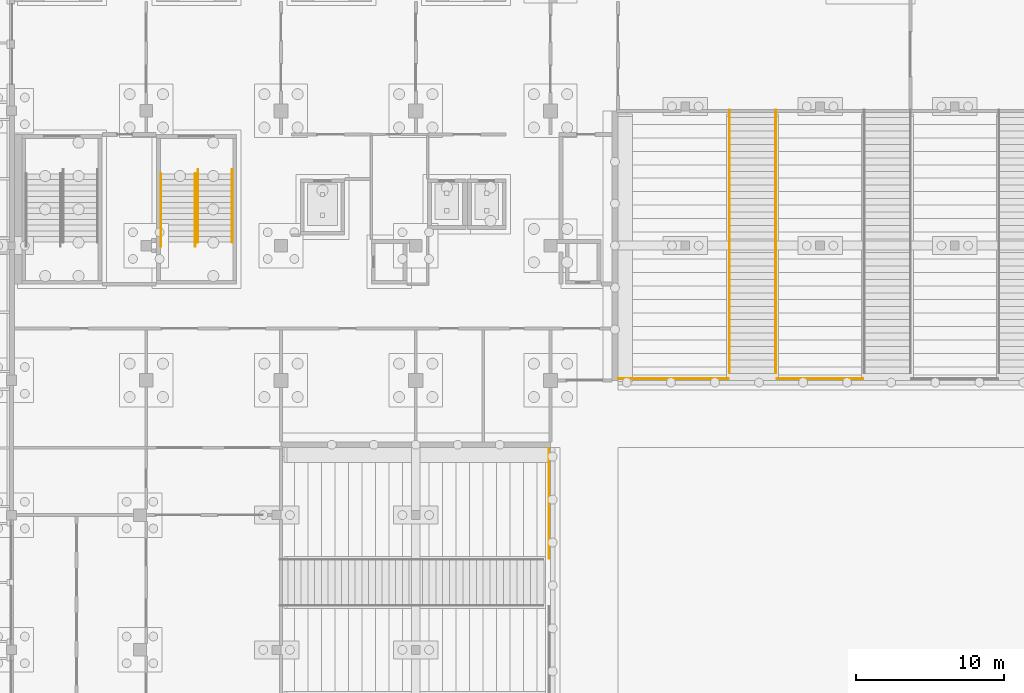
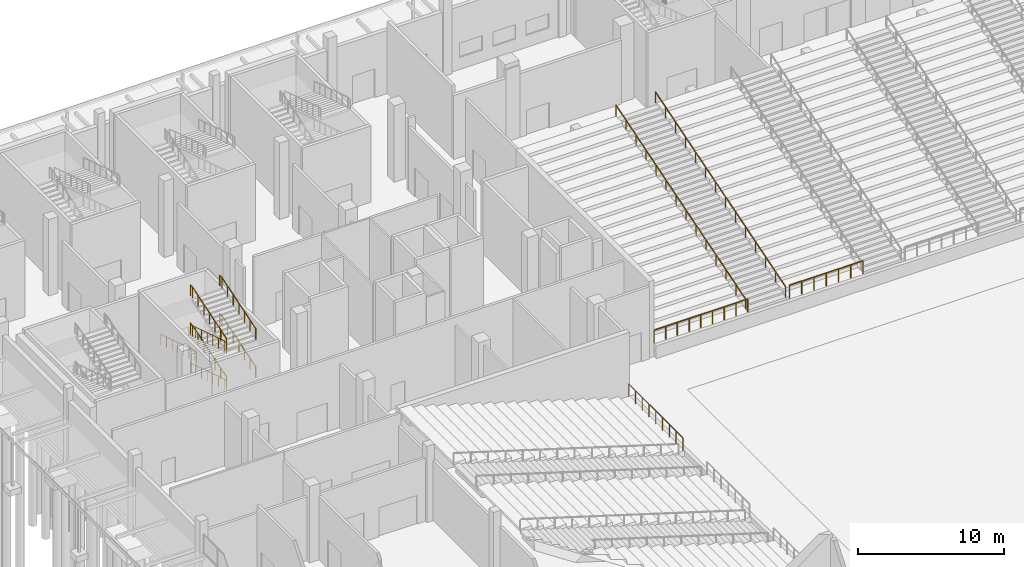
# One storey, part 109 of 129: 12 railings.
"""IFC4 building model written with IfcOpenShell, lengths in metres."""

import ifcopenshell
import ifcopenshell.guid

model = None  # the IFC model being written
_history = None  # IfcOwnerHistory: only IFC2X3 demands one
_inside = {}  # id of a spatial element -> (the spatial element, [elements in it])
_under = {}  # id of a project, library or spatial element -> (it, [spatial elements below it])
_declared = {}  # id of a project -> (the project, [libraries it declares])
_typed = {}  # id of a type object -> (the type object, [elements of that type])
_made_of = {}  # id of a material, layer set ... -> (it, [elements and type objects made of it])


def new_model(schema):
    """Start an empty IFC model of exactly this schema.

    Asked for "IFC4X3", IfcOpenShell would pick the latest addendum, in which some entities
    have other attributes; the version numbers below select the first issue.
    IFC2X3 requires an IfcOwnerHistory on every rooted entity: one is made here for all.
    """
    global model, _history
    if schema == "IFC4X3":
        model = ifcopenshell.file(schema_version=(4, 3, 0, 0))
    else:
        model = ifcopenshell.file(schema=schema)
    _inside.clear()
    _under.clear()
    _declared.clear()
    _typed.clear()
    _made_of.clear()
    _history = None
    if model.schema == "IFC2X3":
        org = make("IfcOrganization", Name="unknown")
        user = make(
            "IfcPersonAndOrganization",
            ThePerson=make("IfcPerson", FamilyName="unknown"),
            TheOrganization=org,
        )
        app = make(
            "IfcApplication",
            ApplicationDeveloper=org,
            Version="unknown",
            ApplicationFullName="unknown",
            ApplicationIdentifier="unknown",
        )
        _history = make(
            "IfcOwnerHistory",
            OwningUser=user,
            OwningApplication=app,
            ChangeAction="ADDED",
            CreationDate=0,
        )
    return model


def make(cls, **values):
    """One entity of the class cls with the attributes given. An attribute that is None is left unset."""
    return model.create_entity(
        cls, **{name: value for name, value in values.items() if value is not None}
    )


def rooted(cls, **values):
    """An entity with a GlobalId (a new one), such as an element, a storey or a relation."""
    return make(cls, GlobalId=ifcopenshell.guid.new(), OwnerHistory=_history, **values)


def si_unit(unit_type, name, prefix=None):
    """IfcSIUnit, for example si_unit("LENGTHUNIT", "METRE", prefix="MILLI")."""
    return make("IfcSIUnit", UnitType=unit_type, Prefix=prefix, Name=name)


def assignment(units):
    """IfcUnitAssignment: the units of a project."""
    return None if units is None else make("IfcUnitAssignment", Units=units)


def point(xyz):
    """IfcCartesianPoint."""
    return None if xyz is None else make("IfcCartesianPoint", Coordinates=xyz)


def direction(xyz):
    """IfcDirection."""
    return None if xyz is None else make("IfcDirection", DirectionRatios=xyz)


def frame(location, z_axis=None, x_axis=None):
    """IfcAxis2Placement3D, a coordinate frame: its origin and axes. An axis left out is left unset."""
    return make(
        "IfcAxis2Placement3D",
        Location=point(location),
        Axis=direction(z_axis),
        RefDirection=direction(x_axis),
    )


def frame_2d(location, x_axis=None):
    """IfcAxis2Placement2D, a coordinate frame in the plane: its origin and x axis."""
    return make(
        "IfcAxis2Placement2D", Location=point(location), RefDirection=direction(x_axis)
    )


def origin():
    """The frame at (0, 0, 0) with its axes left unset."""
    return frame((0.0, 0.0, 0.0))


def origin_2d():
    """The frame at (0, 0) in the plane with its x axis left unset."""
    return frame_2d((0.0, 0.0))


def place(relative_to, where):
    """IfcLocalPlacement: puts the frame where relative to a parent placement (None: the world)."""
    return make(
        "IfcLocalPlacement", PlacementRelTo=relative_to, RelativePlacement=where
    )


def context(
    kind, dimensions, precision=None, world=None, true_north=None, identifier=None
):
    """IfcGeometricRepresentationContext, for example the 3D "Model" context."""
    return make(
        "IfcGeometricRepresentationContext",
        ContextIdentifier=identifier,
        ContextType=kind,
        CoordinateSpaceDimension=dimensions,
        Precision=precision,
        WorldCoordinateSystem=world,
        TrueNorth=true_north,
    )


def subcontext(parent, identifier, kind, view, scale=None):
    """IfcGeometricRepresentationSubContext, for example "Body" below "Model"."""
    return make(
        "IfcGeometricRepresentationSubContext",
        ContextIdentifier=identifier,
        ContextType=kind,
        ParentContext=parent,
        TargetScale=scale,
        TargetView=view,
    )


def project(units=None, contexts=None):
    """IfcProject with its units and contexts."""
    return rooted(
        "IfcProject",
        Name="project",
        RepresentationContexts=contexts,
        UnitsInContext=assignment(units),
    )


def spatial(cls, under=None, at=None, **own):
    """A site, building, storey or space (cls), placed at a placement, below another one or the project."""
    s = rooted(cls, ObjectPlacement=at, **own)
    if under is not None:
        _under.setdefault(under.id(), (under, []))[1].append(s)
    return s


def profile(cls, at=None, kind="AREA", **sizes):
    """A parametric profile (cls). Its sizes go by their IFC names, for example OverallWidth=200.0."""
    return make(cls, ProfileType=kind, Position=at, **sizes)


def circle(**sizes):
    """IfcCircleProfileDef."""
    return profile("IfcCircleProfileDef", **sizes)


def extrude(swept, where, along, depth):
    """IfcExtrudedAreaSolid: the profile swept, set in the frame where, extruded along a direction by depth."""
    return make(
        "IfcExtrudedAreaSolid",
        SweptArea=swept,
        Position=where,
        ExtrudedDirection=direction(along),
        Depth=depth,
    )


def shape(context_of_items, identifier, shape_type, items):
    """IfcShapeRepresentation: the items that make up one representation, for example the "Body"."""
    return make(
        "IfcShapeRepresentation",
        ContextOfItems=context_of_items,
        RepresentationIdentifier=identifier,
        RepresentationType=shape_type,
        Items=items,
    )


def material(Name=None, Category=None):
    """IfcMaterial."""
    return make("IfcMaterial", Name=Name, Category=Category)


def made_of(thing, what):
    """Note that an element or type object is made of a material, layer set ...; save() writes the relation."""
    if what is not None:
        _made_of.setdefault(what.id(), (what, []))[1].append(thing)
    return thing


def type_object(cls, material=None, **own):
    """A type object (cls), such as IfcWallType, which elements share."""
    return made_of(rooted(cls, **own), material)


def element(
    cls,
    number,
    at=None,
    inside=None,
    cuts=None,
    type_object=None,
    material=None,
    context=None,
    identifier="Body",
    shape_type=None,
    held_by="IfcProductDefinitionShape",
    body=None,
    shapes=None,
    **own,
):
    """One element of the class cls, such as IfcWall. Its Tag is "e" and its number.

    at: its placement. inside: the storey or other place that contains it. cuts: it is an
    opening in that element (IfcRelVoidsElement). A single representation is given by context,
    identifier, shape_type and body (its items); several are given by shapes. held_by: the class
    of the entity that holds the representations. save() writes the other relations.
    """
    e = rooted(cls, Tag="e%d" % number, ObjectPlacement=at, **own)
    if body is not None:
        shapes = [shape(context, identifier, shape_type, body)]
    if shapes is not None:
        e.Representation = make(held_by, Representations=shapes)
    if inside is not None:
        _inside.setdefault(inside.id(), (inside, []))[1].append(e)
    if cuts is not None:
        rooted(
            "IfcRelVoidsElement", RelatingBuildingElement=cuts, RelatedOpeningElement=e
        )
    if type_object is not None:
        _typed.setdefault(type_object.id(), (type_object, []))[1].append(e)
    return made_of(e, material)


def aggregate(whole, parts):
    """IfcRelAggregates: a whole, such as a stair, and the parts it consists of."""
    return rooted("IfcRelAggregates", RelatingObject=whole, RelatedObjects=parts)


def save(model, path):
    """Write the relations noted so far, then the file.

    IfcRelAggregates (storeys below a building ...), IfcRelContainedInSpatialStructure (elements
    in a storey), IfcRelDefinesByType, IfcRelAssociatesMaterial and IfcRelDeclares: one each for
    every whole, place, type object, material and project.
    """
    for whole, parts in _under.values():
        aggregate(whole, parts)
    for where, things in _inside.values():
        rooted(
            "IfcRelContainedInSpatialStructure",
            RelatedElements=things,
            RelatingStructure=where,
        )
    for kind, things in _typed.values():
        rooted("IfcRelDefinesByType", RelatedObjects=things, RelatingType=kind)
    for what, things in _made_of.values():
        rooted("IfcRelAssociatesMaterial", RelatedObjects=things, RelatingMaterial=what)
    for by, libraries in _declared.values():
        rooted("IfcRelDeclares", RelatingContext=by, RelatedDefinitions=libraries)
    model.write(path)


model = new_model("IFC4")

# Units and contexts
model_context = context("Model", 3, precision=1e-05, world=origin(), true_north=direction((0.0, 1.0)))
body_context = subcontext(model_context, "Body", "Model", "MODEL_VIEW")
ifc_project = project(units=[si_unit("LENGTHUNIT", "METRE"), si_unit("AREAUNIT", "SQUARE_METRE"), si_unit("VOLUMEUNIT", "CUBIC_METRE"), si_unit("PLANEANGLEUNIT", "RADIAN"), si_unit("MASSUNIT", "GRAM", prefix="KILO")], contexts=[model_context])

# Site, building, storey
site_placement = place(None, origin())
site = spatial("IfcSite", under=ifc_project, at=site_placement, CompositionType="ELEMENT")
building_placement = place(site_placement, origin())
building = spatial("IfcBuilding", under=site, at=building_placement, Name="Shirokan Park Arena", CompositionType="ELEMENT")
storey_placement = place(building_placement, origin())
storey = spatial("IfcBuildingStorey", under=building, at=storey_placement, Name="L00", CompositionType="ELEMENT", Elevation=0.0)

# Railings
ifc_material = material(Name="Stainless steel", Category="steel")
railing_type_1 = type_object("IfcRailingType", Name="Aisle handrail 900", PredefinedType="HANDRAIL", material=ifc_material)
railing_1_placement = place(storey_placement, frame((48.489990234375, 73.304931640625, 0.909912109375)))
element("IfcRailing", 1, at=railing_1_placement, inside=storey, type_object=railing_type_1, Name="Handrail vomitory stair N1 lower", PredefinedType="HANDRAIL", context=body_context, shape_type="SweptSolid", body=[
    extrude(circle(Radius=0.02490234375, at=origin_2d()), frame((0.0, 0.0, 0.89013671875), z_axis=(0.0, 0.955745737905, 0.294193957241), x_axis=(-1.0, 0.0, 0.0)), (0.0, 0.0, 1.0), 1.42822265625),
    extrude(circle(Radius=0.02490234375, at=origin_2d()), frame((0.0, 1.364990234375, 1.310546875), z_axis=(0.0, 0.95579379257, 0.294037797035), x_axis=(-1.0, 0.0, 0.0)), (0.0, 0.0, 1.0), 1.42822265625),
    extrude(circle(Radius=0.02490234375, at=origin_2d()), frame((0.0, 2.72998046875, 1.73046875), z_axis=(0.0, 0.95579379257, 0.294037797035), x_axis=(-1.0, 0.0, 0.0)), (0.0, 0.0, 1.0), 1.42822265625),
    extrude(circle(Radius=0.02490234375, at=origin_2d()), frame((0.0, 4.094970703125, 2.150390625), z_axis=(0.0, 0.955745737905, 0.294193957241), x_axis=(-1.0, 0.0, 0.0)), (0.0, 0.0, 1.0), 1.42822265625),
    extrude(circle(Radius=0.02490234375, at=origin_2d()), frame((0.0, 5.4599609375, 2.5703125), z_axis=(0.0, 0.95579379257, 0.294037797035), x_axis=(-1.0, 0.0, 0.0)), (0.0, 0.0, 1.0), 1.42822265625),
    extrude(circle(Radius=0.02490234375, at=origin_2d()), frame((0.0, 6.824951171875, 2.990234375), z_axis=(0.0, 0.955808569173, 0.293989760189), x_axis=(-1.0, 0.0, 0.0)), (0.0, 0.0, 1.0), 1.428466796875),
    extrude(circle(Radius=0.02490234375, at=origin_2d()), frame((0.0, 8.190185546875, 3.41015625), z_axis=(0.0, 0.955745737905, 0.294193957241), x_axis=(-1.0, 0.0, 0.0)), (0.0, 0.0, 1.0), 1.42822265625),
    extrude(circle(Radius=0.02490234375, at=origin_2d()), frame((0.0, 9.55517578125, 3.83056640625), z_axis=(0.0, 0.95579379257, 0.294037797035), x_axis=(-1.0, 0.0, 0.0)), (0.0, 0.0, 1.0), 1.42822265625),
    extrude(circle(Radius=0.02490234375, at=origin_2d()), frame((0.0, 10.920166015625, 4.25048828125), z_axis=(0.0, 0.95579379257, 0.294037797035), x_axis=(-1.0, 0.0, 0.0)), (0.0, 0.0, 1.0), 1.42822265625),
    extrude(circle(Radius=0.02490234375, at=origin_2d()), frame((0.0, 12.28515625, 4.67041015625), z_axis=(0.0, 0.955745737905, 0.294193957241), x_axis=(-1.0, 0.0, 0.0)), (0.0, 0.0, 1.0), 1.42822265625),
    extrude(circle(Radius=0.02490234375, at=origin_2d()), frame((0.0, 13.650146484375, 5.09033203125), z_axis=(0.0, 0.95579379257, 0.294037797035), x_axis=(-1.0, 0.0, 0.0)), (0.0, 0.0, 1.0), 1.42822265625),
    extrude(circle(Radius=0.02490234375, at=origin_2d()), frame((0.0, 15.01513671875, 5.51025390625), z_axis=(0.0, 0.95579379257, 0.294037797035), x_axis=(-1.0, 0.0, 0.0)), (0.0, 0.0, 1.0), 1.42822265625),
    extrude(circle(Radius=0.02490234375, at=origin_2d()), frame((0.0, 16.380126953125, 5.93017578125), z_axis=(0.0, 0.955745737905, 0.294193957241), x_axis=(-1.0, 0.0, 0.0)), (0.0, 0.0, 1.0), 1.42822265625),
    extrude(circle(Radius=0.02490234375, at=origin_2d()), origin(), (0.0, 0.0, 1.0), 0.865234375),
    extrude(circle(Radius=0.02490234375, at=origin_2d()), frame((0.0, 1.364990234375, 0.420166015625)), (0.0, 0.0, 1.0), 0.865234375),
    extrude(circle(Radius=0.02490234375, at=origin_2d()), frame((0.0, 2.72998046875, 0.840087890625)), (0.0, 0.0, 1.0), 0.865234375),
    extrude(circle(Radius=0.02490234375, at=origin_2d()), frame((0.0, 4.094970703125, 1.260009765625)), (0.0, 0.0, 1.0), 0.865234375),
    extrude(circle(Radius=0.02490234375, at=origin_2d()), frame((0.0, 5.4599609375, 1.68017578125)), (0.0, 0.0, 1.0), 0.865234375),
    extrude(circle(Radius=0.02490234375, at=origin_2d()), frame((0.0, 6.824951171875, 2.10009765625)), (0.0, 0.0, 1.0), 0.865234375),
    extrude(circle(Radius=0.02490234375, at=origin_2d()), frame((0.0, 8.190185546875, 2.52001953125)), (0.0, 0.0, 1.0), 0.865234375),
    extrude(circle(Radius=0.02490234375, at=origin_2d()), frame((0.0, 9.55517578125, 2.940185546875)), (0.0, 0.0, 1.0), 0.865234375),
    extrude(circle(Radius=0.02490234375, at=origin_2d()), frame((0.0, 10.920166015625, 3.360107421875)), (0.0, 0.0, 1.0), 0.865234375),
    extrude(circle(Radius=0.02490234375, at=origin_2d()), frame((0.0, 12.28515625, 3.780029296875)), (0.0, 0.0, 1.0), 0.865234375),
    extrude(circle(Radius=0.02490234375, at=origin_2d()), frame((0.0, 13.650146484375, 4.2001953125)), (0.0, 0.0, 1.0), 0.865234375),
    extrude(circle(Radius=0.02490234375, at=origin_2d()), frame((0.0, 15.01513671875, 4.6201171875)), (0.0, 0.0, 1.0), 0.865234375),
    extrude(circle(Radius=0.02490234375, at=origin_2d()), frame((0.0, 16.380126953125, 5.0400390625)), (0.0, 0.0, 1.0), 0.865234375),
    extrude(circle(Radius=0.02490234375, at=origin_2d()), frame((0.0, 17.7451171875, 5.460205078125)), (0.0, 0.0, 1.0), 0.865234375),
])
railing_2_placement = place(storey_placement, frame((51.610107421875, 73.304931640625, 0.909912109375)))
element("IfcRailing", 2, at=railing_2_placement, inside=storey, type_object=railing_type_1, Name="Handrail vomitory stair N1 lower", PredefinedType="HANDRAIL", context=body_context, shape_type="SweptSolid", body=[
    extrude(circle(Radius=0.02490234375, at=origin_2d()), frame((0.0, 0.0, 0.89013671875), z_axis=(0.0, 0.955745737905, 0.294193957241), x_axis=(-1.0, 0.0, 0.0)), (0.0, 0.0, 1.0), 1.42822265625),
    extrude(circle(Radius=0.02490234375, at=origin_2d()), frame((0.0, 1.364990234375, 1.310546875), z_axis=(0.0, 0.95579379257, 0.294037797035), x_axis=(-1.0, 0.0, 0.0)), (0.0, 0.0, 1.0), 1.42822265625),
    extrude(circle(Radius=0.02490234375, at=origin_2d()), frame((0.0, 2.72998046875, 1.73046875), z_axis=(0.0, 0.95579379257, 0.294037797035), x_axis=(-1.0, 0.0, 0.0)), (0.0, 0.0, 1.0), 1.42822265625),
    extrude(circle(Radius=0.02490234375, at=origin_2d()), frame((0.0, 4.094970703125, 2.150390625), z_axis=(0.0, 0.955745737905, 0.294193957241), x_axis=(-1.0, 0.0, 0.0)), (0.0, 0.0, 1.0), 1.42822265625),
    extrude(circle(Radius=0.02490234375, at=origin_2d()), frame((0.0, 5.4599609375, 2.5703125), z_axis=(0.0, 0.95579379257, 0.294037797035), x_axis=(-1.0, 0.0, 0.0)), (0.0, 0.0, 1.0), 1.42822265625),
    extrude(circle(Radius=0.02490234375, at=origin_2d()), frame((0.0, 6.824951171875, 2.990234375), z_axis=(0.0, 0.955808569173, 0.293989760189), x_axis=(-1.0, 0.0, 0.0)), (0.0, 0.0, 1.0), 1.428466796875),
    extrude(circle(Radius=0.02490234375, at=origin_2d()), frame((0.0, 8.190185546875, 3.41015625), z_axis=(0.0, 0.955745737905, 0.294193957241), x_axis=(-1.0, 0.0, 0.0)), (0.0, 0.0, 1.0), 1.42822265625),
    extrude(circle(Radius=0.02490234375, at=origin_2d()), frame((0.0, 9.55517578125, 3.83056640625), z_axis=(0.0, 0.95579379257, 0.294037797035), x_axis=(-1.0, 0.0, 0.0)), (0.0, 0.0, 1.0), 1.42822265625),
    extrude(circle(Radius=0.02490234375, at=origin_2d()), frame((0.0, 10.920166015625, 4.25048828125), z_axis=(0.0, 0.95579379257, 0.294037797035), x_axis=(-1.0, 0.0, 0.0)), (0.0, 0.0, 1.0), 1.42822265625),
    extrude(circle(Radius=0.02490234375, at=origin_2d()), frame((0.0, 12.28515625, 4.67041015625), z_axis=(0.0, 0.955745737905, 0.294193957241), x_axis=(-1.0, 0.0, 0.0)), (0.0, 0.0, 1.0), 1.42822265625),
    extrude(circle(Radius=0.02490234375, at=origin_2d()), frame((0.0, 13.650146484375, 5.09033203125), z_axis=(0.0, 0.95579379257, 0.294037797035), x_axis=(-1.0, 0.0, 0.0)), (0.0, 0.0, 1.0), 1.42822265625),
    extrude(circle(Radius=0.02490234375, at=origin_2d()), frame((0.0, 15.01513671875, 5.51025390625), z_axis=(0.0, 0.95579379257, 0.294037797035), x_axis=(-1.0, 0.0, 0.0)), (0.0, 0.0, 1.0), 1.42822265625),
    extrude(circle(Radius=0.02490234375, at=origin_2d()), frame((0.0, 16.380126953125, 5.93017578125), z_axis=(0.0, 0.955745737905, 0.294193957241), x_axis=(-1.0, 0.0, 0.0)), (0.0, 0.0, 1.0), 1.42822265625),
    extrude(circle(Radius=0.02490234375, at=origin_2d()), origin(), (0.0, 0.0, 1.0), 0.865234375),
    extrude(circle(Radius=0.02490234375, at=origin_2d()), frame((0.0, 1.364990234375, 0.420166015625)), (0.0, 0.0, 1.0), 0.865234375),
    extrude(circle(Radius=0.02490234375, at=origin_2d()), frame((0.0, 2.72998046875, 0.840087890625)), (0.0, 0.0, 1.0), 0.865234375),
    extrude(circle(Radius=0.02490234375, at=origin_2d()), frame((0.0, 4.094970703125, 1.260009765625)), (0.0, 0.0, 1.0), 0.865234375),
    extrude(circle(Radius=0.02490234375, at=origin_2d()), frame((0.0, 5.4599609375, 1.68017578125)), (0.0, 0.0, 1.0), 0.865234375),
    extrude(circle(Radius=0.02490234375, at=origin_2d()), frame((0.0, 6.824951171875, 2.10009765625)), (0.0, 0.0, 1.0), 0.865234375),
    extrude(circle(Radius=0.02490234375, at=origin_2d()), frame((0.0, 8.190185546875, 2.52001953125)), (0.0, 0.0, 1.0), 0.865234375),
    extrude(circle(Radius=0.02490234375, at=origin_2d()), frame((0.0, 9.55517578125, 2.940185546875)), (0.0, 0.0, 1.0), 0.865234375),
    extrude(circle(Radius=0.02490234375, at=origin_2d()), frame((0.0, 10.920166015625, 3.360107421875)), (0.0, 0.0, 1.0), 0.865234375),
    extrude(circle(Radius=0.02490234375, at=origin_2d()), frame((0.0, 12.28515625, 3.780029296875)), (0.0, 0.0, 1.0), 0.865234375),
    extrude(circle(Radius=0.02490234375, at=origin_2d()), frame((0.0, 13.650146484375, 4.2001953125)), (0.0, 0.0, 1.0), 0.865234375),
    extrude(circle(Radius=0.02490234375, at=origin_2d()), frame((0.0, 15.01513671875, 4.6201171875)), (0.0, 0.0, 1.0), 0.865234375),
    extrude(circle(Radius=0.02490234375, at=origin_2d()), frame((0.0, 16.380126953125, 5.0400390625)), (0.0, 0.0, 1.0), 0.865234375),
    extrude(circle(Radius=0.02490234375, at=origin_2d()), frame((0.0, 17.7451171875, 5.460205078125)), (0.0, 0.0, 1.0), 0.865234375),
])
railing_type_2 = type_object("IfcRailingType", Name="Crowd barrier 1100", PredefinedType="GUARDRAIL", material=ifc_material)
railing_3_placement = place(storey_placement, frame((41.0, 72.89990234375, 1.050048828125)))
element("IfcRailing", 3, at=railing_3_placement, inside=storey, type_object=railing_type_2, Name="Crowd barrier N1 lower tier", PredefinedType="GUARDRAIL", context=body_context, shape_type="SweptSolid", body=[
    extrude(circle(Radius=0.030029296875, at=origin_2d()), frame((0.0, 0.0, 1.072021484375), z_axis=(1.0, 0.0, 0.0), x_axis=(0.0, 1.0, 0.0)), (0.0, 0.0, 1.0), 7.39990234375),
    extrude(circle(Radius=0.030029296875, at=origin_2d()), origin(), (0.0, 0.0, 1.0), 1.0419921875),
    extrude(circle(Radius=0.030029296875, at=origin_2d()), frame((0.925048828125, 0.0, 0.0)), (0.0, 0.0, 1.0), 1.0419921875),
    extrude(circle(Radius=0.030029296875, at=origin_2d()), frame((1.85009765625, 0.0, 0.0)), (0.0, 0.0, 1.0), 1.0419921875),
    extrude(circle(Radius=0.030029296875, at=origin_2d()), frame((2.77490234375, 0.0, 0.0)), (0.0, 0.0, 1.0), 1.0419921875),
    extrude(circle(Radius=0.030029296875, at=origin_2d()), frame((3.699951171875, 0.0, 0.0)), (0.0, 0.0, 1.0), 1.0419921875),
    extrude(circle(Radius=0.030029296875, at=origin_2d()), frame((4.625, 0.0, 0.0)), (0.0, 0.0, 1.0), 1.0419921875),
    extrude(circle(Radius=0.030029296875, at=origin_2d()), frame((5.5498046875, 0.0, 0.0)), (0.0, 0.0, 1.0), 1.0419921875),
    extrude(circle(Radius=0.030029296875, at=origin_2d()), frame((6.474853515625, 0.0, 0.0)), (0.0, 0.0, 1.0), 1.0419921875),
    extrude(circle(Radius=0.030029296875, at=origin_2d()), frame((7.39990234375, 0.0, 0.0)), (0.0, 0.0, 1.0), 1.0419921875),
])
railing_4_placement = place(storey_placement, frame((51.699951171875, 72.89990234375, 1.050048828125)))
element("IfcRailing", 4, at=railing_4_placement, inside=storey, type_object=railing_type_2, Name="Crowd barrier N2 lower tier", PredefinedType="GUARDRAIL", context=body_context, shape_type="SweptSolid", body=[
    extrude(circle(Radius=0.030029296875, at=origin_2d()), frame((0.0, 0.0, 1.072021484375), z_axis=(1.0, 0.0, 0.0), x_axis=(0.0, 1.0, 0.0)), (0.0, 0.0, 1.0), 5.800048828125),
    extrude(circle(Radius=0.030029296875, at=origin_2d()), origin(), (0.0, 0.0, 1.0), 1.0419921875),
    extrude(circle(Radius=0.030029296875, at=origin_2d()), frame((0.966796875, 0.0, 0.0)), (0.0, 0.0, 1.0), 1.0419921875),
    extrude(circle(Radius=0.030029296875, at=origin_2d()), frame((1.933349609375, 0.0, 0.0)), (0.0, 0.0, 1.0), 1.0419921875),
    extrude(circle(Radius=0.030029296875, at=origin_2d()), frame((2.89990234375, 0.0, 0.0)), (0.0, 0.0, 1.0), 1.0419921875),
    extrude(circle(Radius=0.030029296875, at=origin_2d()), frame((3.86669921875, 0.0, 0.0)), (0.0, 0.0, 1.0), 1.0419921875),
    extrude(circle(Radius=0.030029296875, at=origin_2d()), frame((4.83349609375, 0.0, 0.0)), (0.0, 0.0, 1.0), 1.0419921875),
    extrude(circle(Radius=0.030029296875, at=origin_2d()), frame((5.800048828125, 0.0, 0.0)), (0.0, 0.0, 1.0), 1.0419921875),
])
railing_5_placement = place(storey_placement, frame((36.300048828125, 60.800048828125, 1.050048828125)))
element("IfcRailing", 5, at=railing_5_placement, inside=storey, type_object=railing_type_2, Name="Crowd barrier W3 lower tier", PredefinedType="GUARDRAIL", context=body_context, shape_type="SweptSolid", body=[
    extrude(circle(Radius=0.030029296875, at=origin_2d()), frame((0.0, 0.0, 1.072021484375), z_axis=(0.0, 1.0, 0.0), x_axis=(-1.0, 0.0, 0.0)), (0.0, 0.0, 1.0), 7.39990234375),
    extrude(circle(Radius=0.030029296875, at=origin_2d()), origin(), (0.0, 0.0, 1.0), 1.0419921875),
    extrude(circle(Radius=0.030029296875, at=origin_2d()), frame((0.0, 0.925048828125, 0.0)), (0.0, 0.0, 1.0), 1.0419921875),
    extrude(circle(Radius=0.030029296875, at=origin_2d()), frame((0.0, 1.85009765625, 0.0)), (0.0, 0.0, 1.0), 1.0419921875),
    extrude(circle(Radius=0.030029296875, at=origin_2d()), frame((0.0, 2.77490234375, 0.0)), (0.0, 0.0, 1.0), 1.0419921875),
    extrude(circle(Radius=0.030029296875, at=origin_2d()), frame((0.0, 3.699951171875, 0.0)), (0.0, 0.0, 1.0), 1.0419921875),
    extrude(circle(Radius=0.030029296875, at=origin_2d()), frame((0.0, 4.625, 0.0)), (0.0, 0.0, 1.0), 1.0419921875),
    extrude(circle(Radius=0.030029296875, at=origin_2d()), frame((0.0, 5.5498046875, 0.0)), (0.0, 0.0, 1.0), 1.0419921875),
    extrude(circle(Radius=0.030029296875, at=origin_2d()), frame((0.0, 6.474853515625, 0.0)), (0.0, 0.0, 1.0), 1.0419921875),
    extrude(circle(Radius=0.030029296875, at=origin_2d()), frame((0.0, 7.39990234375, 0.0)), (0.0, 0.0, 1.0), 1.0419921875),
])
railing_type_3 = type_object("IfcRailingType", Name="Stair handrail 900", PredefinedType="HANDRAIL", material=ifc_material)
railing_6_placement = place(storey_placement, frame((12.409912109375, 86.75, 0.12255859375)))
element("IfcRailing", 6, at=railing_6_placement, inside=storey, type_object=railing_type_3, Name="Handrail Exit Stair 4.F L00 to L01", PredefinedType="HANDRAIL", context=body_context, shape_type="SweptSolid", body=[
    extrude(circle(Radius=0.02392578125, at=origin_2d()), frame((0.0, 0.0, 0.8759765625), z_axis=(0.0, -0.952929747917, 0.303191186441), x_axis=(1.0, 0.0, 0.0)), (0.0, 0.0, 1.0), 1.6162109375),
    extrude(circle(Radius=0.02392578125, at=origin_2d()), frame((0.0, -1.5400390625, 1.36572265625), z_axis=(0.0, -0.952929747917, 0.303191186441), x_axis=(1.0, 0.0, 0.0)), (0.0, 0.0, 1.0), 1.6162109375),
    extrude(circle(Radius=0.02392578125, at=origin_2d()), frame((0.0, -3.080078125, 1.85595703125), z_axis=(0.0, -0.952929747917, 0.303191186441), x_axis=(1.0, 0.0, 0.0)), (0.0, 0.0, 1.0), 1.6162109375),
    extrude(circle(Radius=0.02392578125, at=origin_2d()), frame((0.0, -4.6201171875, 2.345703125), z_axis=(0.0, -1.0, 0.0), x_axis=(1.0, 0.0, 0.0)), (0.0, 0.0, 1.0), 0.2998046875),
    extrude(circle(Radius=0.02099609375, at=origin_2d()), origin(), (0.0, 0.0, 1.0), 0.851806640625),
    extrude(circle(Radius=0.02099609375, at=origin_2d()), frame((0.0, -0.77001953125, 0.2451171875)), (0.0, 0.0, 1.0), 0.851806640625),
    extrude(circle(Radius=0.02099609375, at=origin_2d()), frame((0.0, -1.5400390625, 0.489990234375)), (0.0, 0.0, 1.0), 0.851806640625),
    extrude(circle(Radius=0.02099609375, at=origin_2d()), frame((0.0, -2.31005859375, 0.73486328125)), (0.0, 0.0, 1.0), 0.851806640625),
    extrude(circle(Radius=0.02099609375, at=origin_2d()), frame((0.0, -3.080078125, 0.97998046875)), (0.0, 0.0, 1.0), 0.851806640625),
    extrude(circle(Radius=0.02099609375, at=origin_2d()), frame((0.0, -3.85009765625, 1.22509765625)), (0.0, 0.0, 1.0), 0.851806640625),
    extrude(circle(Radius=0.02099609375, at=origin_2d()), frame((0.0, -4.6201171875, 1.469970703125)), (0.0, 0.0, 1.0), 0.851806640625),
    extrude(circle(Radius=0.02099609375, at=origin_2d()), frame((0.0, -4.919921875, 1.469970703125)), (0.0, 0.0, 1.0), 0.851806640625),
])
railing_7_placement = place(storey_placement, frame((12.590087890625, 82.1298828125, 1.715087890625)))
element("IfcRailing", 7, at=railing_7_placement, inside=storey, type_object=railing_type_3, Name="Handrail Exit Stair 4.F L00 to L01", PredefinedType="HANDRAIL", context=body_context, shape_type="SweptSolid", body=[
    extrude(circle(Radius=0.02392578125, at=origin_2d()), frame((0.0, 0.0, 0.8759765625), z_axis=(0.0, 0.952929747917, 0.303191186441), x_axis=(-1.0, 0.0, 0.0)), (0.0, 0.0, 1.0), 1.6162109375),
    extrude(circle(Radius=0.02392578125, at=origin_2d()), frame((0.0, 1.5400390625, 1.36572265625), z_axis=(0.0, 0.952929747917, 0.303191186441), x_axis=(-1.0, 0.0, 0.0)), (0.0, 0.0, 1.0), 1.6162109375),
    extrude(circle(Radius=0.02392578125, at=origin_2d()), frame((0.0, 3.080078125, 1.85595703125), z_axis=(0.0, 0.952929747917, 0.303191186441), x_axis=(-1.0, 0.0, 0.0)), (0.0, 0.0, 1.0), 1.6162109375),
    extrude(circle(Radius=0.02392578125, at=origin_2d()), frame((0.0, 4.6201171875, 2.345703125), z_axis=(0.0, 1.0, 0.0), x_axis=(-1.0, 0.0, 0.0)), (0.0, 0.0, 1.0), 0.300048828125),
    extrude(circle(Radius=0.02099609375, at=origin_2d()), origin(), (0.0, 0.0, 1.0), 0.851806640625),
    extrude(circle(Radius=0.02099609375, at=origin_2d()), frame((0.0, 0.77001953125, 0.2451171875)), (0.0, 0.0, 1.0), 0.851806640625),
    extrude(circle(Radius=0.02099609375, at=origin_2d()), frame((0.0, 1.5400390625, 0.489990234375)), (0.0, 0.0, 1.0), 0.851806640625),
    extrude(circle(Radius=0.02099609375, at=origin_2d()), frame((0.0, 2.31005859375, 0.73486328125)), (0.0, 0.0, 1.0), 0.851806640625),
    extrude(circle(Radius=0.02099609375, at=origin_2d()), frame((0.0, 3.080078125, 0.97998046875)), (0.0, 0.0, 1.0), 0.851806640625),
    extrude(circle(Radius=0.02099609375, at=origin_2d()), frame((0.0, 3.85009765625, 1.22509765625)), (0.0, 0.0, 1.0), 0.851806640625),
    extrude(circle(Radius=0.02099609375, at=origin_2d()), frame((0.0, 4.6201171875, 1.469970703125)), (0.0, 0.0, 1.0), 0.851806640625),
    extrude(circle(Radius=0.02099609375, at=origin_2d()), frame((0.0, 4.920166015625, 1.469970703125)), (0.0, 0.0, 1.0), 0.851806640625),
])
railing_8_placement = place(storey_placement, frame((14.909912109375, 82.1298828125, 1.715087890625)))
element("IfcRailing", 8, at=railing_8_placement, inside=storey, type_object=railing_type_3, Name="Handrail Exit Stair 4.F L00 to L01", PredefinedType="HANDRAIL", context=body_context, shape_type="SweptSolid", body=[
    extrude(circle(Radius=0.02392578125, at=origin_2d()), frame((0.0, 0.0, 0.8759765625), z_axis=(0.0, 0.952929747917, 0.303191186441), x_axis=(-1.0, 0.0, 0.0)), (0.0, 0.0, 1.0), 1.6162109375),
    extrude(circle(Radius=0.02392578125, at=origin_2d()), frame((0.0, 1.5400390625, 1.36572265625), z_axis=(0.0, 0.952929747917, 0.303191186441), x_axis=(-1.0, 0.0, 0.0)), (0.0, 0.0, 1.0), 1.6162109375),
    extrude(circle(Radius=0.02392578125, at=origin_2d()), frame((0.0, 3.080078125, 1.85595703125), z_axis=(0.0, 0.952929747917, 0.303191186441), x_axis=(-1.0, 0.0, 0.0)), (0.0, 0.0, 1.0), 1.6162109375),
    extrude(circle(Radius=0.02392578125, at=origin_2d()), frame((0.0, 4.6201171875, 2.345703125), z_axis=(0.0, 1.0, 0.0), x_axis=(-1.0, 0.0, 0.0)), (0.0, 0.0, 1.0), 0.300048828125),
    extrude(circle(Radius=0.02099609375, at=origin_2d()), origin(), (0.0, 0.0, 1.0), 0.851806640625),
    extrude(circle(Radius=0.02099609375, at=origin_2d()), frame((0.0, 0.77001953125, 0.2451171875)), (0.0, 0.0, 1.0), 0.851806640625),
    extrude(circle(Radius=0.02099609375, at=origin_2d()), frame((0.0, 1.5400390625, 0.489990234375)), (0.0, 0.0, 1.0), 0.851806640625),
    extrude(circle(Radius=0.02099609375, at=origin_2d()), frame((0.0, 2.31005859375, 0.73486328125)), (0.0, 0.0, 1.0), 0.851806640625),
    extrude(circle(Radius=0.02099609375, at=origin_2d()), frame((0.0, 3.080078125, 0.97998046875)), (0.0, 0.0, 1.0), 0.851806640625),
    extrude(circle(Radius=0.02099609375, at=origin_2d()), frame((0.0, 3.85009765625, 1.22509765625)), (0.0, 0.0, 1.0), 0.851806640625),
    extrude(circle(Radius=0.02099609375, at=origin_2d()), frame((0.0, 4.6201171875, 1.469970703125)), (0.0, 0.0, 1.0), 0.851806640625),
    extrude(circle(Radius=0.02099609375, at=origin_2d()), frame((0.0, 4.920166015625, 1.469970703125)), (0.0, 0.0, 1.0), 0.851806640625),
])
railing_9_placement = place(storey_placement, frame((10.090087890625, 86.75, 3.3076171875)))
element("IfcRailing", 9, at=railing_9_placement, inside=storey, type_object=railing_type_3, Name="Handrail Exit Stair 4.F L00 to L01", PredefinedType="HANDRAIL", context=body_context, shape_type="SweptSolid", body=[
    extrude(circle(Radius=0.02392578125, at=origin_2d()), frame((0.0, 0.0, 0.8759765625), z_axis=(0.0, -0.952929747917, 0.303191186441), x_axis=(1.0, 0.0, 0.0)), (0.0, 0.0, 1.0), 1.6162109375),
    extrude(circle(Radius=0.02392578125, at=origin_2d()), frame((0.0, -1.5400390625, 1.36572265625), z_axis=(0.0, -0.952929747917, 0.303191186441), x_axis=(1.0, 0.0, 0.0)), (0.0, 0.0, 1.0), 1.6162109375),
    extrude(circle(Radius=0.02392578125, at=origin_2d()), frame((0.0, -3.080078125, 1.85595703125), z_axis=(0.0, -0.952929747917, 0.303191186441), x_axis=(1.0, 0.0, 0.0)), (0.0, 0.0, 1.0), 1.6162109375),
    extrude(circle(Radius=0.02392578125, at=origin_2d()), frame((0.0, -4.6201171875, 2.345703125), z_axis=(0.0, -1.0, 0.0), x_axis=(1.0, 0.0, 0.0)), (0.0, 0.0, 1.0), 0.2998046875),
    extrude(circle(Radius=0.02099609375, at=origin_2d()), origin(), (0.0, 0.0, 1.0), 0.851806640625),
    extrude(circle(Radius=0.02099609375, at=origin_2d()), frame((0.0, -0.77001953125, 0.2451171875)), (0.0, 0.0, 1.0), 0.851806640625),
    extrude(circle(Radius=0.02099609375, at=origin_2d()), frame((0.0, -1.5400390625, 0.489990234375)), (0.0, 0.0, 1.0), 0.851806640625),
    extrude(circle(Radius=0.02099609375, at=origin_2d()), frame((0.0, -2.31005859375, 0.73486328125)), (0.0, 0.0, 1.0), 0.851806640625),
    extrude(circle(Radius=0.02099609375, at=origin_2d()), frame((0.0, -3.080078125, 0.97998046875)), (0.0, 0.0, 1.0), 0.851806640625),
    extrude(circle(Radius=0.02099609375, at=origin_2d()), frame((0.0, -3.85009765625, 1.22509765625)), (0.0, 0.0, 1.0), 0.851806640625),
    extrude(circle(Radius=0.02099609375, at=origin_2d()), frame((0.0, -4.6201171875, 1.469970703125)), (0.0, 0.0, 1.0), 0.851806640625),
    extrude(circle(Radius=0.02099609375, at=origin_2d()), frame((0.0, -4.919921875, 1.469970703125)), (0.0, 0.0, 1.0), 0.851806640625),
])
railing_10_placement = place(storey_placement, frame((12.409912109375, 86.75, 3.3076171875)))
element("IfcRailing", 10, at=railing_10_placement, inside=storey, type_object=railing_type_3, Name="Handrail Exit Stair 4.F L00 to L01", PredefinedType="HANDRAIL", context=body_context, shape_type="SweptSolid", body=[
    extrude(circle(Radius=0.02392578125, at=origin_2d()), frame((0.0, 0.0, 0.8759765625), z_axis=(0.0, -0.952929747917, 0.303191186441), x_axis=(1.0, 0.0, 0.0)), (0.0, 0.0, 1.0), 1.6162109375),
    extrude(circle(Radius=0.02392578125, at=origin_2d()), frame((0.0, -1.5400390625, 1.36572265625), z_axis=(0.0, -0.952929747917, 0.303191186441), x_axis=(1.0, 0.0, 0.0)), (0.0, 0.0, 1.0), 1.6162109375),
    extrude(circle(Radius=0.02392578125, at=origin_2d()), frame((0.0, -3.080078125, 1.85595703125), z_axis=(0.0, -0.952929747917, 0.303191186441), x_axis=(1.0, 0.0, 0.0)), (0.0, 0.0, 1.0), 1.6162109375),
    extrude(circle(Radius=0.02392578125, at=origin_2d()), frame((0.0, -4.6201171875, 2.345703125), z_axis=(0.0, -1.0, 0.0), x_axis=(1.0, 0.0, 0.0)), (0.0, 0.0, 1.0), 0.2998046875),
    extrude(circle(Radius=0.02099609375, at=origin_2d()), origin(), (0.0, 0.0, 1.0), 0.851806640625),
    extrude(circle(Radius=0.02099609375, at=origin_2d()), frame((0.0, -0.77001953125, 0.2451171875)), (0.0, 0.0, 1.0), 0.851806640625),
    extrude(circle(Radius=0.02099609375, at=origin_2d()), frame((0.0, -1.5400390625, 0.489990234375)), (0.0, 0.0, 1.0), 0.851806640625),
    extrude(circle(Radius=0.02099609375, at=origin_2d()), frame((0.0, -2.31005859375, 0.73486328125)), (0.0, 0.0, 1.0), 0.851806640625),
    extrude(circle(Radius=0.02099609375, at=origin_2d()), frame((0.0, -3.080078125, 0.97998046875)), (0.0, 0.0, 1.0), 0.851806640625),
    extrude(circle(Radius=0.02099609375, at=origin_2d()), frame((0.0, -3.85009765625, 1.22509765625)), (0.0, 0.0, 1.0), 0.851806640625),
    extrude(circle(Radius=0.02099609375, at=origin_2d()), frame((0.0, -4.6201171875, 1.469970703125)), (0.0, 0.0, 1.0), 0.851806640625),
    extrude(circle(Radius=0.02099609375, at=origin_2d()), frame((0.0, -4.919921875, 1.469970703125)), (0.0, 0.0, 1.0), 0.851806640625),
])
railing_11_placement = place(storey_placement, frame((12.590087890625, 82.1298828125, 4.89990234375)))
element("IfcRailing", 11, at=railing_11_placement, inside=storey, type_object=railing_type_3, Name="Handrail Exit Stair 4.F L00 to L01", PredefinedType="HANDRAIL", context=body_context, shape_type="SweptSolid", body=[
    extrude(circle(Radius=0.02392578125, at=origin_2d()), frame((0.0, 0.0, 0.8759765625), z_axis=(0.0, 0.952929747917, 0.303191186441), x_axis=(-1.0, 0.0, 0.0)), (0.0, 0.0, 1.0), 1.6162109375),
    extrude(circle(Radius=0.02392578125, at=origin_2d()), frame((0.0, 1.5400390625, 1.36572265625), z_axis=(0.0, 0.952929747917, 0.303191186441), x_axis=(-1.0, 0.0, 0.0)), (0.0, 0.0, 1.0), 1.6162109375),
    extrude(circle(Radius=0.02392578125, at=origin_2d()), frame((0.0, 3.080078125, 1.85595703125), z_axis=(0.0, 0.952886093821, 0.303328357069), x_axis=(-1.0, 0.0, 0.0)), (0.0, 0.0, 1.0), 1.6162109375),
    extrude(circle(Radius=0.02392578125, at=origin_2d()), frame((0.0, 4.6201171875, 2.34619140625), z_axis=(0.0, 1.0, 0.0), x_axis=(-1.0, 0.0, 0.0)), (0.0, 0.0, 1.0), 0.300048828125),
    extrude(circle(Radius=0.02099609375, at=origin_2d()), origin(), (0.0, 0.0, 1.0), 0.851806640625),
    extrude(circle(Radius=0.02099609375, at=origin_2d()), frame((0.0, 0.77001953125, 0.2451171875)), (0.0, 0.0, 1.0), 0.851806640625),
    extrude(circle(Radius=0.02099609375, at=origin_2d()), frame((0.0, 1.5400390625, 0.489990234375)), (0.0, 0.0, 1.0), 0.851806640625),
    extrude(circle(Radius=0.02099609375, at=origin_2d()), frame((0.0, 2.31005859375, 0.73486328125)), (0.0, 0.0, 1.0), 0.851806640625),
    extrude(circle(Radius=0.02099609375, at=origin_2d()), frame((0.0, 3.080078125, 0.97998046875)), (0.0, 0.0, 1.0), 0.851806640625),
    extrude(circle(Radius=0.02099609375, at=origin_2d()), frame((0.0, 3.85009765625, 1.22509765625)), (0.0, 0.0, 1.0), 0.851806640625),
    extrude(circle(Radius=0.02099609375, at=origin_2d()), frame((0.0, 4.6201171875, 1.47021484375)), (0.0, 0.0, 1.0), 0.851806640625),
    extrude(circle(Radius=0.02099609375, at=origin_2d()), frame((0.0, 4.920166015625, 1.47021484375)), (0.0, 0.0, 1.0), 0.851806640625),
])
railing_12_placement = place(storey_placement, frame((14.909912109375, 82.1298828125, 4.89990234375)))
element("IfcRailing", 12, at=railing_12_placement, inside=storey, type_object=railing_type_3, Name="Handrail Exit Stair 4.F L00 to L01", PredefinedType="HANDRAIL", context=body_context, shape_type="SweptSolid", body=[
    extrude(circle(Radius=0.02392578125, at=origin_2d()), frame((0.0, 0.0, 0.8759765625), z_axis=(0.0, 0.952929747917, 0.303191186441), x_axis=(-1.0, 0.0, 0.0)), (0.0, 0.0, 1.0), 1.6162109375),
    extrude(circle(Radius=0.02392578125, at=origin_2d()), frame((0.0, 1.5400390625, 1.36572265625), z_axis=(0.0, 0.952929747917, 0.303191186441), x_axis=(-1.0, 0.0, 0.0)), (0.0, 0.0, 1.0), 1.6162109375),
    extrude(circle(Radius=0.02392578125, at=origin_2d()), frame((0.0, 3.080078125, 1.85595703125), z_axis=(0.0, 0.952886093821, 0.303328357069), x_axis=(-1.0, 0.0, 0.0)), (0.0, 0.0, 1.0), 1.6162109375),
    extrude(circle(Radius=0.02392578125, at=origin_2d()), frame((0.0, 4.6201171875, 2.34619140625), z_axis=(0.0, 1.0, 0.0), x_axis=(-1.0, 0.0, 0.0)), (0.0, 0.0, 1.0), 0.300048828125),
    extrude(circle(Radius=0.02099609375, at=origin_2d()), origin(), (0.0, 0.0, 1.0), 0.851806640625),
    extrude(circle(Radius=0.02099609375, at=origin_2d()), frame((0.0, 0.77001953125, 0.2451171875)), (0.0, 0.0, 1.0), 0.851806640625),
    extrude(circle(Radius=0.02099609375, at=origin_2d()), frame((0.0, 1.5400390625, 0.489990234375)), (0.0, 0.0, 1.0), 0.851806640625),
    extrude(circle(Radius=0.02099609375, at=origin_2d()), frame((0.0, 2.31005859375, 0.73486328125)), (0.0, 0.0, 1.0), 0.851806640625),
    extrude(circle(Radius=0.02099609375, at=origin_2d()), frame((0.0, 3.080078125, 0.97998046875)), (0.0, 0.0, 1.0), 0.851806640625),
    extrude(circle(Radius=0.02099609375, at=origin_2d()), frame((0.0, 3.85009765625, 1.22509765625)), (0.0, 0.0, 1.0), 0.851806640625),
    extrude(circle(Radius=0.02099609375, at=origin_2d()), frame((0.0, 4.6201171875, 1.47021484375)), (0.0, 0.0, 1.0), 0.851806640625),
    extrude(circle(Radius=0.02099609375, at=origin_2d()), frame((0.0, 4.920166015625, 1.47021484375)), (0.0, 0.0, 1.0), 0.851806640625),
])

save(model, "model.ifc")
